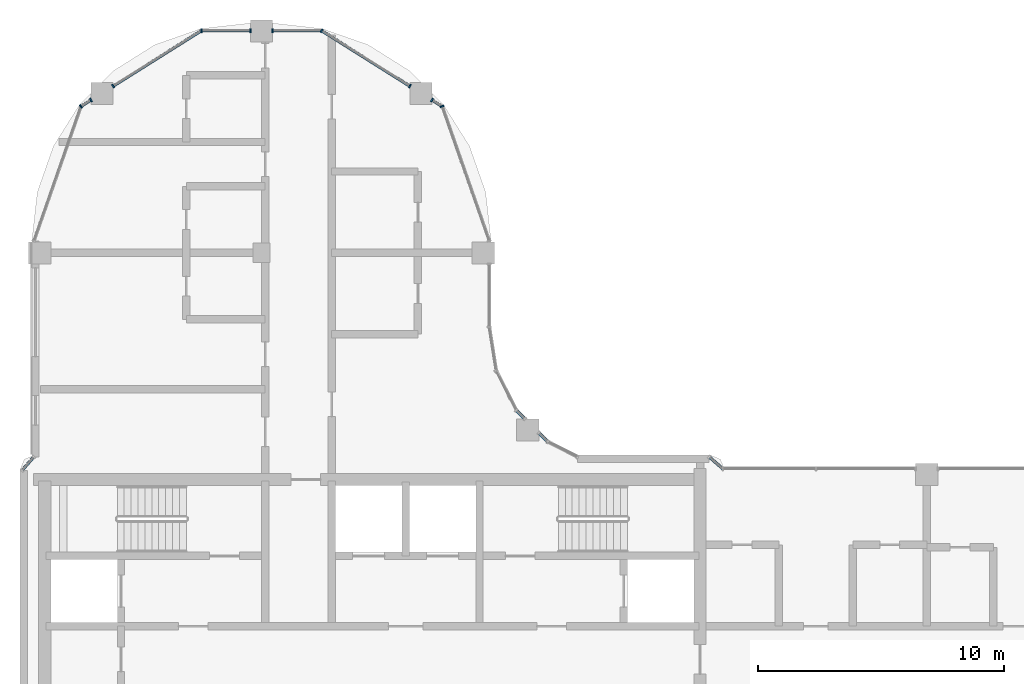
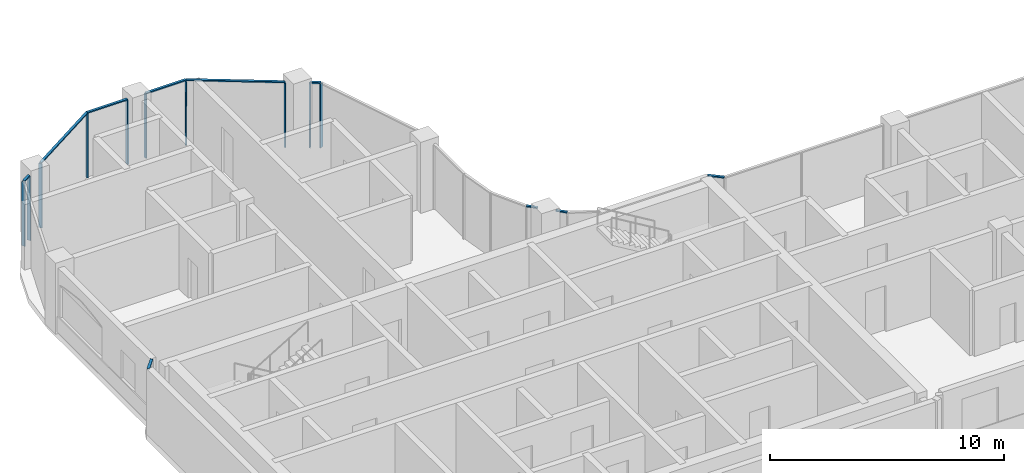
# One storey, part 5 of 17: 20 members, 8 elements without a shape of their own.
"""IFC4 building model written with IfcOpenShell, lengths in metres."""

from ifc_helpers import new_model, si_unit, direction, frame, origin, origin_2d, place, context, subcontext, project, spatial, rectangle, extrude, material, material_profile, profile_set, type_object, element, aggregate, save


model = new_model("IFC4")

# Units and contexts
model_context = context("Model", 3, precision=1e-05, world=origin(), true_north=direction((0.0, 1.0)))
body_context = subcontext(model_context, "Body", "Model", "MODEL_VIEW")
ifc_project = project(units=[si_unit("LENGTHUNIT", "METRE"), si_unit("AREAUNIT", "SQUARE_METRE"), si_unit("VOLUMEUNIT", "CUBIC_METRE"), si_unit("PLANEANGLEUNIT", "RADIAN"), si_unit("MASSUNIT", "GRAM", prefix="KILO")], contexts=[model_context])

# Site, building, storey
site_placement = place(None, origin())
site = spatial("IfcSite", under=ifc_project, at=site_placement, CompositionType="ELEMENT")
building_placement = place(site_placement, origin())
building = spatial("IfcBuilding", under=site, at=building_placement, Name="Ogive Portal Towers", CompositionType="ELEMENT")
storey_placement = place(building_placement, frame((0.0, 0.0, 221.699951171875)))
storey = spatial("IfcBuildingStorey", under=building, at=storey_placement, Name="L55", CompositionType="ELEMENT", Elevation=221.699951171875)

# Curtain wall, members
ifc_material_1 = material(Name="Glass, clear low-iron insulated glazing", Category="glass")
curtain_wall_type = type_object("IfcCurtainWallType", Name="CW FRONT RIBBON 4500", PredefinedType="NOTDEFINED", material=ifc_material_1)
curtain_wall_1_placement = place(storey_placement, origin())
curtain_wall_1 = element("IfcCurtainWall", 1, at=curtain_wall_1_placement, inside=storey, type_object=curtain_wall_type, Name="A:L55:f07:cwa~0", PredefinedType="NOTDEFINED")
ifc_material_2 = material(Name="Aluminium 6063 anodised", Category="aluminium")
ifc_material_profile_1 = material_profile(ifc_material_2, rectangle(XDim=0.159912109375, YDim=0.06005859375, at=origin_2d()), Name="AL 60x160")
ifc_profile_set_1 = profile_set([ifc_material_profile_1], Name="Aluminium 6063 anodised")
member_type_1 = type_object("IfcMemberType", Name="CW MULLION 60x160", PredefinedType="MULLION", material=ifc_profile_set_1)
member_1_placement = place(storey_placement, frame((47.82958984375, 54.4462890625, 0.0), z_axis=(0.0, 0.0, 1.0), x_axis=(-0.943883330307, -0.33027906196, 0.0)))
member_1 = element("IfcMember", 2, at=member_1_placement, type_object=member_type_1, Name="mullion", PredefinedType="MULLION", context=body_context, shape_type="SweptSolid", body=[
    extrude(rectangle(XDim=0.159912109375, YDim=0.06005859375, at=origin_2d()), origin(), (0.0, 0.0, 1.0), 3.340087890625),
])
member_2_placement = place(storey_placement, frame((47.423095703125, 54.70166015625, 0.0), z_axis=(0.0, 0.0, 1.0), x_axis=(-0.532032076517, -0.846724199227, 0.0)))
member_2 = element("IfcMember", 3, at=member_2_placement, type_object=member_type_1, Name="mullion", PredefinedType="MULLION", context=body_context, shape_type="SweptSolid", body=[
    extrude(rectangle(XDim=0.159912109375, YDim=0.06005859375, at=origin_2d()), origin(), (0.0, 0.0, 1.0), 3.340087890625),
])

curtain_wall_2_placement = place(storey_placement, origin())
curtain_wall_2 = element("IfcCurtainWall", 4, at=curtain_wall_2_placement, inside=storey, type_object=curtain_wall_type, Name="A:L55:f07:cwa~1", PredefinedType="NOTDEFINED")
member_3_placement = place(storey_placement, frame((46.52294921875, 55.267333984375, 0.0), z_axis=(0.0, 0.0, 1.0), x_axis=(-0.532032076517, -0.846724199227, 0.0)))
member_3 = element("IfcMember", 5, at=member_3_placement, type_object=member_type_1, Name="mullion", PredefinedType="MULLION", context=body_context, shape_type="SweptSolid", body=[
    extrude(rectangle(XDim=0.159912109375, YDim=0.06005859375, at=origin_2d()), origin(), (0.0, 0.0, 1.0), 3.340087890625),
])
member_4_placement = place(storey_placement, frame((42.939697265625, 57.518798828125, 0.0), z_axis=(0.0, 0.0, 1.0), x_axis=(-0.532032076517, -0.846724199227, 0.0)))
member_4 = element("IfcMember", 6, at=member_4_placement, type_object=member_type_1, Name="mullion", PredefinedType="MULLION", context=body_context, shape_type="SweptSolid", body=[
    extrude(rectangle(XDim=0.159912109375, YDim=0.06005859375, at=origin_2d()), origin(), (0.0, 0.0, 1.0), 3.340087890625),
])
member_5_placement = place(storey_placement, frame((40.949951171875, 57.518798828125, 0.0), z_axis=(0.0, 0.0, 1.0), x_axis=(0.0, -1.0, 0.0)))
member_5 = element("IfcMember", 7, at=member_5_placement, type_object=member_type_1, Name="mullion", PredefinedType="MULLION", context=body_context, shape_type="SweptSolid", body=[
    extrude(rectangle(XDim=0.159912109375, YDim=0.06005859375, at=origin_2d()), origin(), (0.0, 0.0, 1.0), 3.340087890625),
])

curtain_wall_3_placement = place(storey_placement, origin())
curtain_wall_3 = element("IfcCurtainWall", 8, at=curtain_wall_3_placement, inside=storey, type_object=curtain_wall_type, Name="A:L55:f07:cwa~2", PredefinedType="NOTDEFINED")
member_6_placement = place(storey_placement, frame((40.050048828125, 57.518798828125, 0.0), z_axis=(0.0, 0.0, 1.0), x_axis=(0.0, -1.0, 0.0)))
member_6 = element("IfcMember", 9, at=member_6_placement, type_object=member_type_1, Name="mullion", PredefinedType="MULLION", context=body_context, shape_type="SweptSolid", body=[
    extrude(rectangle(XDim=0.159912109375, YDim=0.06005859375, at=origin_2d()), origin(), (0.0, 0.0, 1.0), 3.340087890625),
])
member_7_placement = place(storey_placement, frame((38.060302734375, 57.518798828125, 0.0), z_axis=(0.0, 0.0, 1.0), x_axis=(0.0, -1.0, 0.0)))
member_7 = element("IfcMember", 10, at=member_7_placement, type_object=member_type_1, Name="mullion", PredefinedType="MULLION", context=body_context, shape_type="SweptSolid", body=[
    extrude(rectangle(XDim=0.159912109375, YDim=0.06005859375, at=origin_2d()), origin(), (0.0, 0.0, 1.0), 3.340087890625),
])
member_8_placement = place(storey_placement, frame((34.47705078125, 55.267333984375, 0.0), z_axis=(0.0, 0.0, 1.0), x_axis=(0.532032076517, -0.846724199227, 0.0)))
member_8 = element("IfcMember", 11, at=member_8_placement, type_object=member_type_1, Name="mullion", PredefinedType="MULLION", context=body_context, shape_type="SweptSolid", body=[
    extrude(rectangle(XDim=0.159912109375, YDim=0.06005859375, at=origin_2d()), origin(), (0.0, 0.0, 1.0), 3.340087890625),
])

curtain_wall_4_placement = place(storey_placement, origin())
curtain_wall_4 = element("IfcCurtainWall", 12, at=curtain_wall_4_placement, inside=storey, type_object=curtain_wall_type, Name="A:L55:f07:cwa~3", PredefinedType="NOTDEFINED")
member_9_placement = place(storey_placement, frame((33.576904296875, 54.70166015625, 0.0), z_axis=(0.0, 0.0, 1.0), x_axis=(0.532032076517, -0.846724199227, 0.0)))
member_9 = element("IfcMember", 13, at=member_9_placement, type_object=member_type_1, Name="mullion", PredefinedType="MULLION", context=body_context, shape_type="SweptSolid", body=[
    extrude(rectangle(XDim=0.159912109375, YDim=0.06005859375, at=origin_2d()), origin(), (0.0, 0.0, 1.0), 3.340087890625),
])
member_10_placement = place(storey_placement, frame((33.17041015625, 54.4462890625, 0.0), z_axis=(0.0, 0.0, 1.0), x_axis=(0.532032076517, -0.846724199227, 0.0)))
member_10 = element("IfcMember", 14, at=member_10_placement, type_object=member_type_1, Name="mullion", PredefinedType="MULLION", context=body_context, shape_type="SweptSolid", body=[
    extrude(rectangle(XDim=0.159912109375, YDim=0.06005859375, at=origin_2d()), origin(), (0.0, 0.0, 1.0), 3.340087890625),
])

# Curtain wall, member
curtain_wall_5_placement = place(storey_placement, origin())
curtain_wall_5 = element("IfcCurtainWall", 15, at=curtain_wall_5_placement, inside=storey, type_object=curtain_wall_type, Name="A:L55:f00:cwa", PredefinedType="NOTDEFINED")
ifc_material_profile_2 = material_profile(ifc_material_2, rectangle(XDim=0.1201171875, YDim=0.06005859375, at=origin_2d()), Name="AL 120x60")
ifc_profile_set_2 = profile_set([ifc_material_profile_2], Name="Aluminium 6063 anodised")
member_type_2 = type_object("IfcMemberType", Name="CW TRANSOM 60x120", PredefinedType="USERDEFINED", material=ifc_profile_set_2)
member_11_placement = place(storey_placement, frame((59.22021484375, 39.739990234375, 3.3701171875), z_axis=(-0.753611342808, 0.657320275049, 0.0), x_axis=(-0.657320275049, -0.753611342808, 0.0)))
member_11 = element("IfcMember", 16, at=member_11_placement, type_object=member_type_2, Name="transom", ObjectType="TRANSOM", PredefinedType="USERDEFINED", context=body_context, shape_type="SweptSolid", body=[
    extrude(rectangle(XDim=0.1201171875, YDim=0.06005859375, at=origin_2d()), origin(), (0.0, 0.0, 1.0), 0.730224609375),
])
aggregate(curtain_wall_5, [member_11])

curtain_wall_6_placement = place(storey_placement, origin())
curtain_wall_6 = element("IfcCurtainWall", 17, at=curtain_wall_6_placement, inside=storey, type_object=curtain_wall_type, Name="A:L55:f02:cwa~0", PredefinedType="NOTDEFINED")
member_12_placement = place(storey_placement, frame((52.11376953125, 40.83935546875, 3.3701171875), z_axis=(-0.707106781187, 0.707106781187, 0.0), x_axis=(-0.707106781187, -0.707106781187, 0.0)))
member_12 = element("IfcMember", 18, at=member_12_placement, type_object=member_type_2, Name="transom", ObjectType="TRANSOM", PredefinedType="USERDEFINED", context=body_context, shape_type="SweptSolid", body=[
    extrude(rectangle(XDim=0.1201171875, YDim=0.06005859375, at=origin_2d()), origin(), (0.0, 0.0, 1.0), 0.500244140625),
])
aggregate(curtain_wall_6, [member_12])

curtain_wall_7_placement = place(storey_placement, origin())
curtain_wall_7 = element("IfcCurtainWall", 19, at=curtain_wall_7_placement, inside=storey, type_object=curtain_wall_type, Name="A:L55:f02:cwa~1", PredefinedType="NOTDEFINED")
member_13_placement = place(storey_placement, frame((51.193115234375, 41.760009765625, 3.3701171875), z_axis=(-0.707106781187, 0.707106781187, 0.0), x_axis=(-0.707106781187, -0.707106781187, 0.0)))
member_13 = element("IfcMember", 20, at=member_13_placement, type_object=member_type_2, Name="transom", ObjectType="TRANSOM", PredefinedType="USERDEFINED", context=body_context, shape_type="SweptSolid", body=[
    extrude(rectangle(XDim=0.1201171875, YDim=0.06005859375, at=origin_2d()), origin(), (0.0, 0.0, 1.0), 0.500244140625),
])
aggregate(curtain_wall_7, [member_13])

# Member
member_14_placement = place(storey_placement, frame((47.82958984375, 54.4462890625, 3.3701171875), z_axis=(-0.846767460027, 0.531963221134, 0.0), x_axis=(-0.531963221134, -0.846767460027, 0.0)))
member_14 = element("IfcMember", 21, at=member_14_placement, type_object=member_type_2, Name="transom", ObjectType="TRANSOM", PredefinedType="USERDEFINED", context=body_context, shape_type="SweptSolid", body=[
    extrude(rectangle(XDim=0.1201171875, YDim=0.06005859375, at=origin_2d()), origin(), (0.0, 0.0, 1.0), 0.47998046875),
])

aggregate(curtain_wall_1, [member_14, member_1, member_2])

member_15_placement = place(storey_placement, frame((46.52294921875, 55.267333984375, 3.3701171875), z_axis=(-0.846728625852, 0.532025031519, 0.0), x_axis=(-0.532025031519, -0.846728625852, 0.0)))
member_15 = element("IfcMember", 22, at=member_15_placement, type_object=member_type_2, Name="transom", ObjectType="TRANSOM", PredefinedType="USERDEFINED", context=body_context, shape_type="SweptSolid", body=[
    extrude(rectangle(XDim=0.1201171875, YDim=0.06005859375, at=origin_2d()), origin(), (0.0, 0.0, 1.0), 4.23193359375),
])

member_16_placement = place(storey_placement, frame((42.939697265625, 57.518798828125, 3.3701171875), z_axis=(-1.0, 0.0, 0.0), x_axis=(0.0, -1.0, 0.0)))
member_16 = element("IfcMember", 23, at=member_16_placement, type_object=member_type_2, Name="transom", ObjectType="TRANSOM", PredefinedType="USERDEFINED", context=body_context, shape_type="SweptSolid", body=[
    extrude(rectangle(XDim=0.1201171875, YDim=0.06005859375, at=origin_2d()), origin(), (0.0, 0.0, 1.0), 1.98974609375),
])

aggregate(curtain_wall_2, [member_15, member_16, member_3, member_4, member_5])

member_17_placement = place(storey_placement, frame((40.050048828125, 57.518798828125, 3.3701171875), z_axis=(-1.0, 0.0, 0.0), x_axis=(0.0, -1.0, 0.0)))
member_17 = element("IfcMember", 24, at=member_17_placement, type_object=member_type_2, Name="transom", ObjectType="TRANSOM", PredefinedType="USERDEFINED", context=body_context, shape_type="SweptSolid", body=[
    extrude(rectangle(XDim=0.1201171875, YDim=0.06005859375, at=origin_2d()), origin(), (0.0, 0.0, 1.0), 1.98974609375),
])

member_18_placement = place(storey_placement, frame((38.060302734375, 57.518798828125, 3.3701171875), z_axis=(-0.846728625852, -0.532025031519, 0.0), x_axis=(0.532025031519, -0.846728625852, 0.0)))
member_18 = element("IfcMember", 25, at=member_18_placement, type_object=member_type_2, Name="transom", ObjectType="TRANSOM", PredefinedType="USERDEFINED", context=body_context, shape_type="SweptSolid", body=[
    extrude(rectangle(XDim=0.1201171875, YDim=0.06005859375, at=origin_2d()), origin(), (0.0, 0.0, 1.0), 4.23193359375),
])

aggregate(curtain_wall_3, [member_17, member_18, member_6, member_7, member_8])

member_19_placement = place(storey_placement, frame((33.576904296875, 54.70166015625, 3.3701171875), z_axis=(-0.846767460027, -0.531963221134, 0.0), x_axis=(0.531963221134, -0.846767460027, 0.0)))
member_19 = element("IfcMember", 26, at=member_19_placement, type_object=member_type_2, Name="transom", ObjectType="TRANSOM", PredefinedType="USERDEFINED", context=body_context, shape_type="SweptSolid", body=[
    extrude(rectangle(XDim=0.1201171875, YDim=0.06005859375, at=origin_2d()), origin(), (0.0, 0.0, 1.0), 0.47998046875),
])

aggregate(curtain_wall_4, [member_19, member_9, member_10])

# Curtain wall, member
curtain_wall_8_placement = place(storey_placement, origin())
curtain_wall_8 = element("IfcCurtainWall", 27, at=curtain_wall_8_placement, inside=storey, type_object=curtain_wall_type, Name="A:L55:f13:cwa", PredefinedType="NOTDEFINED")
member_20_placement = place(storey_placement, frame((31.260009765625, 40.22021484375, 3.3701171875), z_axis=(-0.657320275049, -0.753611342808, 0.0), x_axis=(0.753611342808, -0.657320275049, 0.0)))
member_20 = element("IfcMember", 28, at=member_20_placement, type_object=member_type_2, Name="transom", ObjectType="TRANSOM", PredefinedType="USERDEFINED", context=body_context, shape_type="SweptSolid", body=[
    extrude(rectangle(XDim=0.1201171875, YDim=0.06005859375, at=origin_2d()), origin(), (0.0, 0.0, 1.0), 0.730224609375),
])
aggregate(curtain_wall_8, [member_20])

save(model, "model.ifc")
